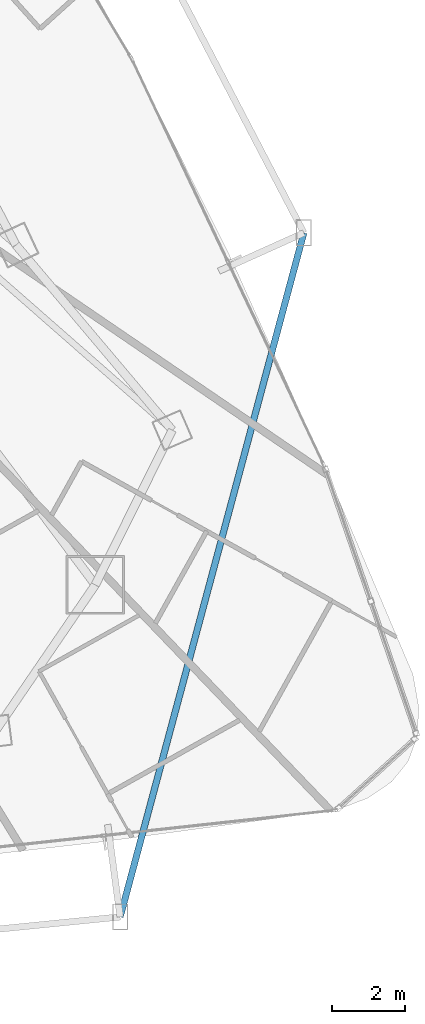
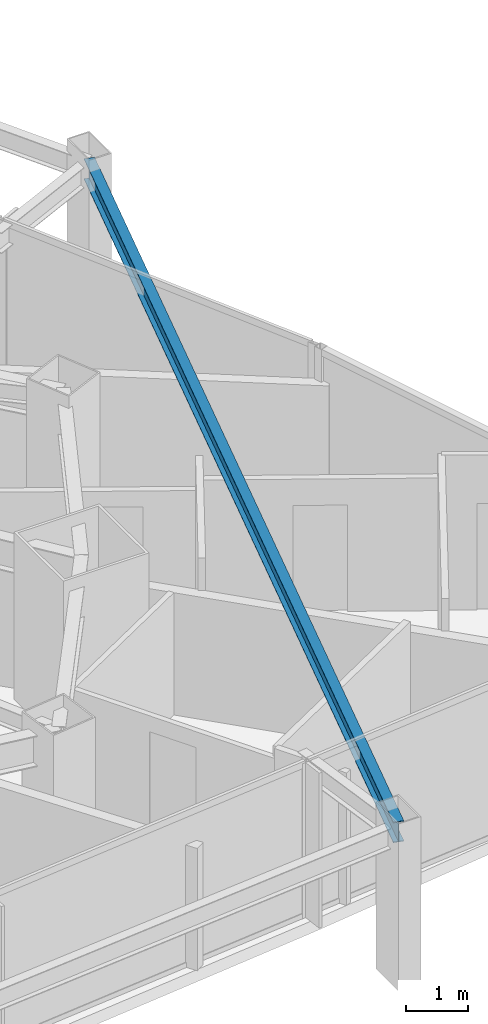
# One storey, part 15 of 34: 1 beam.
"""IFC4 building model written with IfcOpenShell, lengths in metres."""

from ifc_helpers import new_model, si_unit, direction, frame, origin, origin_2d, place, context, subcontext, project, spatial, i_section, extrude, material, material_profile, profile_set, type_object, element, save


model = new_model("IFC4")

# Units and contexts
model_context = context("Model", 3, precision=1e-05, world=origin(), true_north=direction((0.0, 1.0)))
body_context = subcontext(model_context, "Body", "Model", "MODEL_VIEW")
ifc_project = project(units=[si_unit("LENGTHUNIT", "METRE"), si_unit("AREAUNIT", "SQUARE_METRE"), si_unit("VOLUMEUNIT", "CUBIC_METRE"), si_unit("PLANEANGLEUNIT", "RADIAN"), si_unit("MASSUNIT", "GRAM", prefix="KILO")], contexts=[model_context])

# Site, building, storey
site_placement = place(None, origin())
site = spatial("IfcSite", under=ifc_project, at=site_placement, CompositionType="ELEMENT")
building_placement = place(site_placement, origin())
building = spatial("IfcBuilding", under=site, at=building_placement, Name="Orvanel Arch Residences", CompositionType="ELEMENT")
storey_placement = place(building_placement, frame((0.0, 0.0, 74.14990234375)))
storey = spatial("IfcBuildingStorey", under=building, at=storey_placement, Name="L20", CompositionType="ELEMENT", Elevation=74.14990234375)

# Beam
ifc_material = material(Name="Structural steel AS/NZS 3679.1 Grade 300 (300 MPa)", Category="steel")
ifc_material_profile = material_profile(ifc_material, i_section(OverallWidth=0.177978515625, OverallDepth=0.406005859375, WebThickness=0.0078125, FlangeThickness=0.0126953125, at=origin_2d()), Name="410UB59.7")
ifc_profile_set = profile_set([ifc_material_profile], Name="Structural steel AS/NZS 3679.1 Grade 300 (300 MPa)")
beam_type = type_object("IfcBeamType", Name="OB-410UB-EXT", PredefinedType="SPANDREL", material=ifc_profile_set)
beam_placement = place(storey_placement, frame((52.48095703125, 1.27099609375, 2.857177734375), z_axis=(0.259358589193, 0.965781094354, 0.0), x_axis=(-0.965781094354, 0.259358589193, 0.0)))
element("IfcBeam", 1, at=beam_placement, inside=storey, type_object=beam_type, Name="L20 Outer Perimeter Floor Ring Beam 08", PredefinedType="SPANDREL", context=body_context, shape_type="SweptSolid", body=[
    extrude(i_section(OverallWidth=0.177978515625, OverallDepth=0.406005859375, WebThickness=0.0078125, FlangeThickness=0.0126953125, at=origin_2d()), origin(), (0.0, 0.0, 1.0), 19.36669921875),
])

save(model, "model.ifc")
